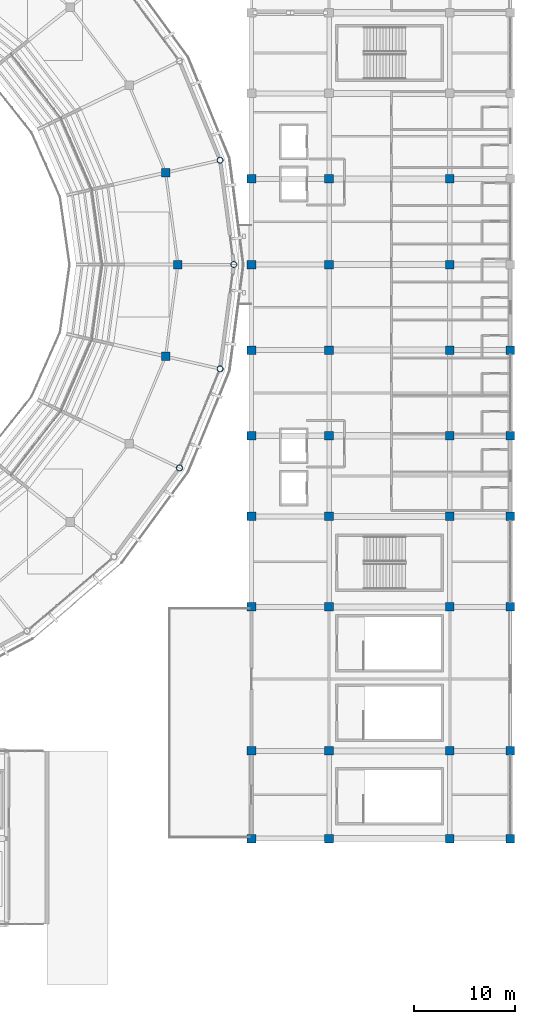
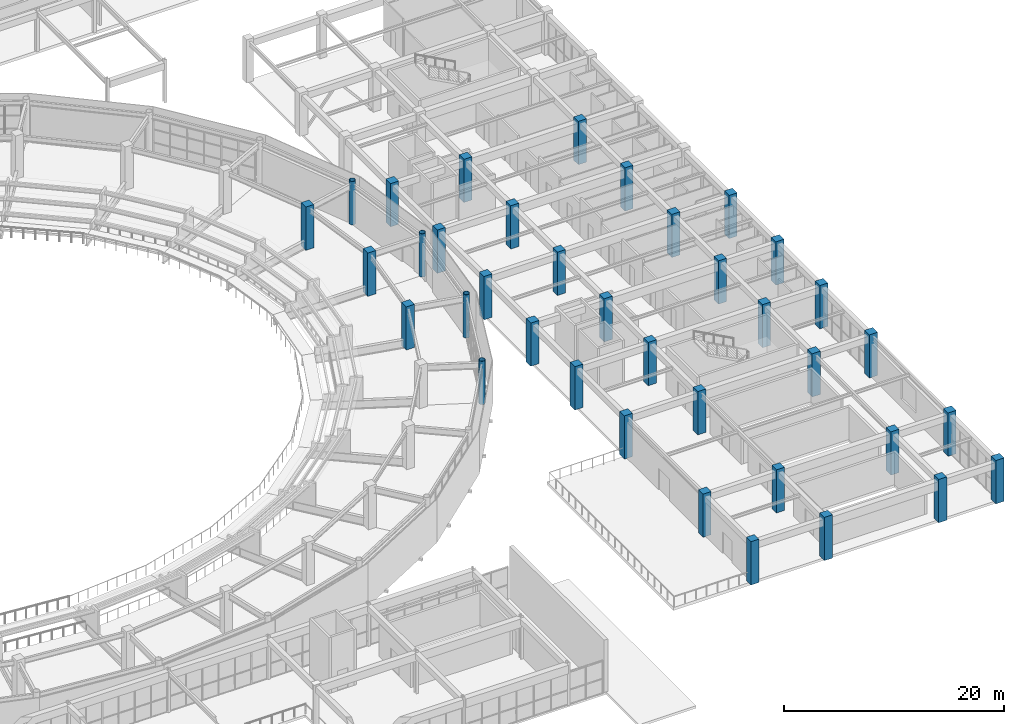
# One storey, part 13 of 122: 37 columns.
"""IFC4 building model written with IfcOpenShell, lengths in metres."""

from ifc_helpers import new_model, si_unit, direction, frame, origin, origin_2d, place, context, subcontext, project, spatial, rectangle, hollow_circle, extrude, material, material_profile, profile_set, type_object, element, save


model = new_model("IFC4")

# Units and contexts
model_context = context("Model", 3, precision=1e-05, world=origin(), true_north=direction((0.0, 1.0)))
body_context = subcontext(model_context, "Body", "Model", "MODEL_VIEW")
ifc_project = project(units=[si_unit("LENGTHUNIT", "METRE"), si_unit("AREAUNIT", "SQUARE_METRE"), si_unit("VOLUMEUNIT", "CUBIC_METRE"), si_unit("PLANEANGLEUNIT", "RADIAN"), si_unit("MASSUNIT", "GRAM", prefix="KILO")], contexts=[model_context])

# Site, building, storey
site_placement = place(None, origin())
site = spatial("IfcSite", under=ifc_project, at=site_placement, CompositionType="ELEMENT")
building_placement = place(site_placement, origin())
building = spatial("IfcBuilding", under=site, at=building_placement, Name="Cuetzalor Civic Arena", CompositionType="ELEMENT")
storey_placement = place(building_placement, frame((0.0, 0.0, 16.199951171875)))
storey = spatial("IfcBuildingStorey", under=building, at=storey_placement, Name="L03", CompositionType="ELEMENT", Elevation=16.199951171875)

# Columns
ifc_material_1 = material(Name="Concrete C40/50", Category="concrete")
ifc_material_profile_1 = material_profile(ifc_material_1, rectangle(XDim=0.85009765625, YDim=0.85009765625, at=origin_2d()), Name="RC 850x850")
ifc_profile_set_1 = profile_set([ifc_material_profile_1], Name="Concrete C40/50")
column_type_1 = type_object("IfcColumnType", Name="ConcreteColumn_850", PredefinedType="COLUMN", material=ifc_profile_set_1)
for number, where, z_axis, x_axis, name in (
    (1, (49.0, 0.0, 0.0), (0.0, 0.0, 1.0), (1.0, 0.0, 0.0), "Column V1-REC-01 L03"),
    (2, (47.771484375, 9.123291015625, 0.0), (0.0, 0.0, 1.0), (1.0, 0.0, 0.0), "Column V1-REC-02 L03"),
    (3, (47.771484375, -9.123291015625, 0.0), (0.0, 0.0, 1.0), (1.0, 0.0, 0.0), "Column V1-REC-28 L03"),
    (4, (56.300048828125, -57.0, 0.0), (0.0, 0.0, 1.0), (1.0, 0.0, 0.0), "Column V4E-C-01-01 L03"),
    (5, (56.300048828125, -48.300048828125, 0.0), (0.0, 0.0, 1.0), (1.0, 0.0, 0.0), "Column V4E-C-01-02 L03"),
    (6, (56.300048828125, -34.0, 0.0), (0.0, 0.0, 1.0), (1.0, 0.0, 0.0), "Column V4E-C-01-03 L03"),
    (7, (56.300048828125, -25.0, 0.0), (0.0, 0.0, 1.0), (1.0, 0.0, 0.0), "Column V4E-C-01-04 L03"),
    (8, (56.300048828125, -17.0, 0.0), (0.0, 0.0, 1.0), (1.0, 0.0, 0.0), "Column V4E-C-01-05 L03"),
    (9, (56.300048828125, -8.5, 0.0), (0.0, 0.0, 1.0), (1.0, 0.0, 0.0), "Column V4E-C-01-06 L03"),
    (10, (56.300048828125, 0.0, 0.0), (0.0, 0.0, 1.0), (1.0, 0.0, 0.0), "Column V4E-C-01-07 L03"),
    (11, (56.300048828125, 8.5, 0.0), (0.0, 0.0, 1.0), (1.0, 0.0, 0.0), "Column V4E-C-01-08 L03"),
    (12, (64.0, -57.0, 0.0), (0.0, 0.0, 1.0), (1.0, 0.0, 0.0), "Column V4E-C-02-01 L03"),
    (13, (64.0, -48.300048828125, 0.0), (0.0, 0.0, 1.0), (1.0, 0.0, 0.0), "Column V4E-C-02-02 L03"),
    (14, (64.0, -34.0, 0.0), (0.0, 0.0, 1.0), (1.0, 0.0, 0.0), "Column V4E-C-02-03 L03"),
    (15, (64.0, -25.0, 0.0), (0.0, 0.0, 1.0), (1.0, 0.0, 0.0), "Column V4E-C-02-04 L03"),
    (16, (64.0, -17.0, 0.0), (0.0, 0.0, 1.0), (1.0, 0.0, 0.0), "Column V4E-C-02-05 L03"),
    (17, (64.0, -8.5, 0.0), (0.0, 0.0, 1.0), (1.0, 0.0, 0.0), "Column V4E-C-02-06 L03"),
    (18, (64.0, 0.0, 0.0), (0.0, 0.0, 1.0), (1.0, 0.0, 0.0), "Column V4E-C-02-07 L03"),
    (19, (64.0, 8.5, 0.0), (0.0, 0.0, 1.0), (1.0, 0.0, 0.0), "Column V4E-C-02-08 L03"),
    (20, (76.0, -57.0, 0.0), (0.0, 0.0, 1.0), (1.0, 0.0, 0.0), "Column V4E-C-03-01 L03"),
    (21, (76.0, -48.300048828125, 0.0), (0.0, 0.0, 1.0), (1.0, 0.0, 0.0), "Column V4E-C-03-02 L03"),
    (22, (76.0, -34.0, 0.0), (0.0, 0.0, 1.0), (1.0, 0.0, 0.0), "Column V4E-C-03-03 L03"),
    (23, (76.0, -25.0, 0.0), (0.0, 0.0, 1.0), (1.0, 0.0, 0.0), "Column V4E-C-03-04 L03"),
    (24, (76.0, -17.0, 0.0), (0.0, 0.0, 1.0), (1.0, 0.0, 0.0), "Column V4E-C-03-05 L03"),
    (25, (76.0, -8.5, 0.0), (0.0, 0.0, 1.0), (1.0, 0.0, 0.0), "Column V4E-C-03-06 L03"),
    (26, (76.0, 0.0, 0.0), (0.0, 0.0, 1.0), (1.0, 0.0, 0.0), "Column V4E-C-03-07 L03"),
    (27, (76.0, 8.5, 0.0), (0.0, 0.0, 1.0), (1.0, 0.0, 0.0), "Column V4E-C-03-08 L03"),
    (28, (82.0, -57.0, 0.0), (0.0, 0.0, 1.0), (1.0, 0.0, 0.0), "Column V4E-C-04-01 L03"),
    (29, (82.0, -48.300048828125, 0.0), (0.0, 0.0, 1.0), (1.0, 0.0, 0.0), "Column V4E-C-04-02 L03"),
    (30, (82.0, -34.0, 0.0), (0.0, 0.0, 1.0), (1.0, 0.0, 0.0), "Column V4E-C-04-03 L03"),
    (31, (82.0, -25.0, 0.0), (0.0, 0.0, 1.0), (1.0, 0.0, 0.0), "Column V4E-C-04-04 L03"),
    (32, (82.0, -17.0, 0.0), (0.0, 0.0, 1.0), (1.0, 0.0, 0.0), "Column V4E-C-04-05 L03"),
    (33, (82.0, -8.5, 0.0), (0.0, 0.0, 1.0), (1.0, 0.0, 0.0), "Column V4E-C-04-06 L03"),
):
    element("IfcColumn", number, at=place(storey_placement, frame(where, z_axis=z_axis, x_axis=x_axis)), inside=storey, type_object=column_type_1, Name=name, PredefinedType="COLUMN", context=body_context, shape_type="SweptSolid", body=[
        extrude(rectangle(XDim=0.85009765625, YDim=0.85009765625, at=origin_2d()), origin(), (0.0, 0.0, 1.0), 4.800048828125),
    ])
ifc_material_2 = material(Name="Steel S355", Category="steel")
ifc_material_profile_2 = material_profile(ifc_material_2, hollow_circle(Radius=0.304931640625, WallThickness=0.02490234375, at=origin_2d()), Name="CHS 610x25")
ifc_profile_set_2 = profile_set([ifc_material_profile_2], Name="Steel S355")
column_type_2 = type_object("IfcColumnType", Name="SteelDomePylon_CHS610", PredefinedType="COLUMN", material=ifc_profile_set_2)
for number, where, z_axis, x_axis, name in (
    (34, (54.550048828125, 0.0, 0.0), (0.0, 0.0, 1.0), (1.0, 0.0, 0.0), "Column V1-PYL-01 L03"),
    (35, (53.182373046875, 10.3583984375, 0.0), (0.0, 0.0, 1.0), (1.0, 0.0, 0.0), "Column V1-PYL-02 L03"),
    (36, (49.14794921875, -20.197265625, 0.0), (0.0, 0.0, 1.0), (1.0, 0.0, 0.0), "Column V1-PYL-27 L03"),
    (37, (53.182373046875, -10.3583984375, 0.0), (0.0, 0.0, 1.0), (1.0, 0.0, 0.0), "Column V1-PYL-28 L03"),
):
    element("IfcColumn", number, at=place(storey_placement, frame(where, z_axis=z_axis, x_axis=x_axis)), inside=storey, type_object=column_type_2, Name=name, PredefinedType="COLUMN", context=body_context, shape_type="SweptSolid", body=[
        extrude(hollow_circle(Radius=0.304931640625, WallThickness=0.02490234375, at=origin_2d()), origin(), (0.0, 0.0, 1.0), 4.800048828125),
    ])

save(model, "model.ifc")
